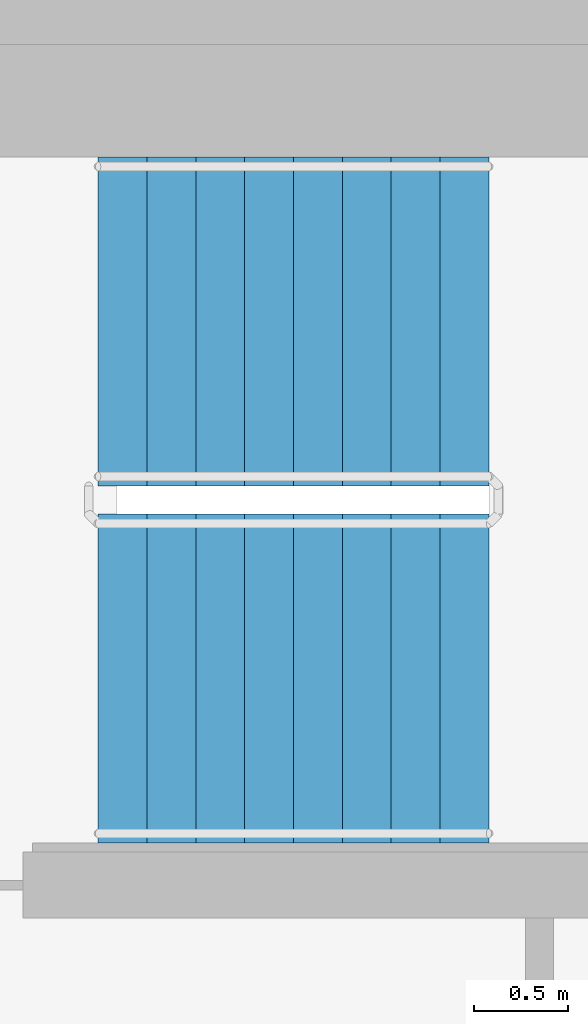
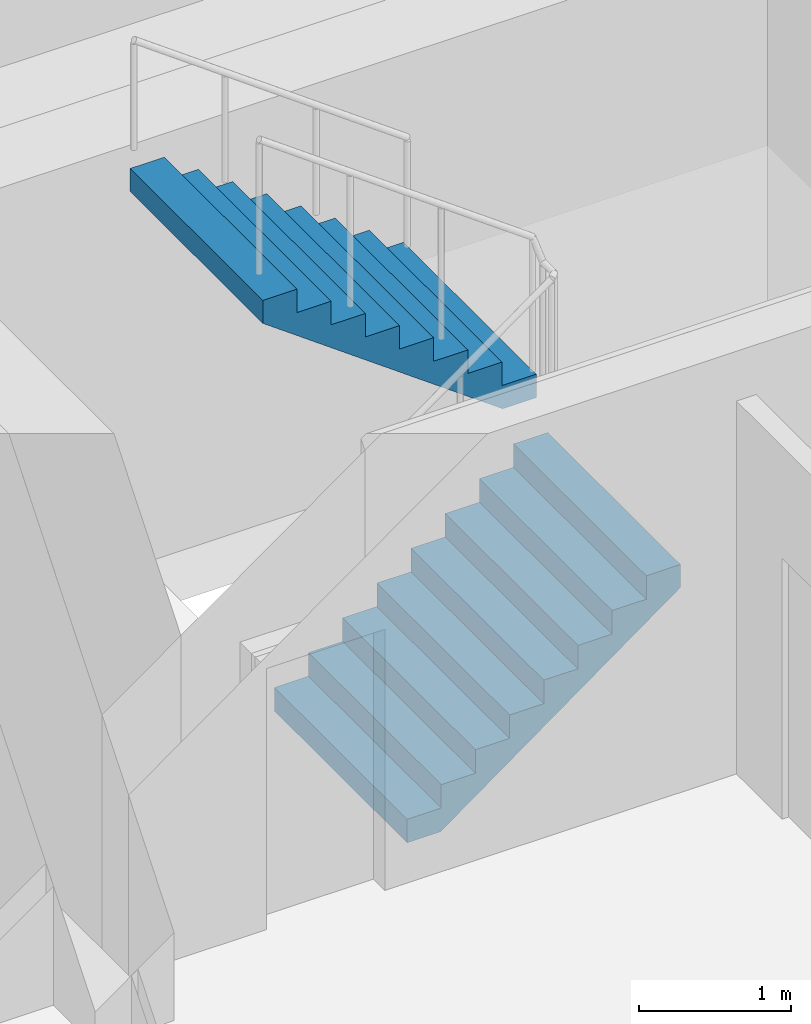
# One storey, part 13 of 18: 2 stair flights, 1 element without a shape of its own.
"""IFC4 building model written with IfcOpenShell, lengths in metres."""

from ifc_helpers import new_model, si_unit, direction, frame, origin, place, context, subcontext, project, spatial, faceted_brep, material, type_object, element, aggregate, save


model = new_model("IFC4")

# Units and contexts
model_context = context("Model", 3, precision=1e-05, world=origin(), true_north=direction((0.0, 1.0)))
body_context = subcontext(model_context, "Body", "Model", "MODEL_VIEW")
ifc_project = project(units=[si_unit("LENGTHUNIT", "METRE"), si_unit("AREAUNIT", "SQUARE_METRE"), si_unit("VOLUMEUNIT", "CUBIC_METRE"), si_unit("PLANEANGLEUNIT", "RADIAN"), si_unit("MASSUNIT", "GRAM", prefix="KILO")], contexts=[model_context])

# Site, building, storey
site_placement = place(None, origin())
site = spatial("IfcSite", under=ifc_project, at=site_placement, CompositionType="ELEMENT")
building_placement = place(site_placement, origin())
building = spatial("IfcBuilding", under=site, at=building_placement, Name="Ipe Terrace Towers", CompositionType="ELEMENT")
storey_placement = place(building_placement, frame((0.0, 0.0, 226.60009765625)))
storey = spatial("IfcBuildingStorey", under=building, at=storey_placement, Name="L63", CompositionType="ELEMENT", Elevation=226.60009765625)

# Stair, stair flights
ifc_material_1 = material(Name="Concrete C30/37", Category="concrete")
stair_type = type_object("IfcStairType", Name="Protected exit stair", PredefinedType="HALF_TURN_STAIR", material=ifc_material_1)
stair_placement = place(storey_placement, origin())
stair = element("IfcStair", 1, at=stair_placement, inside=storey, type_object=stair_type, Name="L63 Exit stair T1-C1", PredefinedType="HALF_TURN_STAIR")
ifc_material_2 = material(Name="Concrete C30/37", Category="concrete")
stair_flight_type = type_object("IfcStairFlightType", Name="Exit stair flight 1750", PredefinedType="STRAIGHT", material=ifc_material_2)
stair_flight_1_placement = place(storey_placement, frame((-26.300048828125, 2.77490234375, 0.0), z_axis=(0.0, 0.0, 1.0), x_axis=(1.0, 0.0, 0.0)))
stair_flight_1 = element("IfcStairFlight", 2, at=stair_flight_1_placement, type_object=stair_flight_type, Name="T1-ST1 flight 1", NumberOfRisers=9, NumberOfTreads=8, PredefinedType="STRAIGHT", RiserHeight=0.188888889, TreadLength=0.26, context=body_context, shape_type="Brep", body=[
    faceted_brep([(0.255126953125, -0.875, 0.0), (2.080078125, -0.875, 1.325927734375), (2.080078125, -0.875, 1.51123046875), (1.820068359375, -0.875, 1.51123046875), (1.820068359375, -0.875, 1.322265625), (1.56005859375, -0.875, 1.322265625), (1.56005859375, -0.875, 1.13330078125), (1.300048828125, -0.875, 1.13330078125), (1.300048828125, -0.875, 0.9443359375), (1.0400390625, -0.875, 0.9443359375), (1.0400390625, -0.875, 0.755615234375), (0.780029296875, -0.875, 0.755615234375), (0.780029296875, -0.875, 0.566650390625), (0.52001953125, -0.875, 0.566650390625), (0.52001953125, -0.875, 0.377685546875), (0.260009765625, -0.875, 0.377685546875), (0.260009765625, -0.875, 0.18896484375), (0.0, -0.875, 0.18896484375), (0.0, -0.875, 0.0), (0.0, 0.875, 0.0), (0.0, 0.875, 0.18896484375), (0.260009765625, 0.875, 0.18896484375), (0.260009765625, 0.875, 0.377685546875), (0.52001953125, 0.875, 0.377685546875), (0.52001953125, 0.875, 0.566650390625), (0.780029296875, 0.875, 0.566650390625), (0.780029296875, 0.875, 0.755615234375), (1.0400390625, 0.875, 0.755615234375), (1.0400390625, 0.875, 0.9443359375), (1.300048828125, 0.875, 0.9443359375), (1.300048828125, 0.875, 1.13330078125), (1.56005859375, 0.875, 1.13330078125), (1.56005859375, 0.875, 1.322265625), (1.820068359375, 0.875, 1.322265625), (1.820068359375, 0.875, 1.51123046875), (2.080078125, 0.875, 1.51123046875), (2.080078125, 0.875, 1.325927734375), (0.255126953125, 0.875, 0.0), (0.0, -0.300048828125, 0.18896484375), (0.0, -0.1201171875, 0.18896484375), (0.0, -0.06005859375, 0.18896484375), (0.0, -0.030029296875, 0.18896484375), (0.0, -0.010009765625, 0.18896484375), (0.0, 0.0, 0.18896484375), (0.0, 0.010009765625, 0.18896484375), (0.0, 0.030029296875, 0.18896484375), (0.0, 0.06005859375, 0.18896484375), (0.0, 0.1201171875, 0.18896484375), (0.0, 0.300048828125, 0.18896484375), (0.0, 0.300048828125, 0.0), (0.0, 0.1201171875, 0.0), (0.0, 0.06005859375, 0.0), (0.0, 0.030029296875, 0.0), (0.0, 0.010009765625, 0.0), (0.0, 0.0, 0.0), (0.0, -0.010009765625, 0.0), (0.0, -0.030029296875, 0.0), (0.0, -0.06005859375, 0.0), (0.0, -0.1201171875, 0.0), (0.0, -0.300048828125, 0.0), (0.260009765625, -0.300048828125, 0.18896484375), (0.260009765625, -0.1201171875, 0.18896484375), (0.260009765625, -0.06005859375, 0.18896484375), (0.260009765625, -0.030029296875, 0.18896484375), (0.260009765625, -0.010009765625, 0.18896484375), (0.260009765625, 0.0, 0.18896484375), (0.260009765625, 0.010009765625, 0.18896484375), (0.260009765625, 0.030029296875, 0.18896484375), (0.260009765625, 0.06005859375, 0.18896484375), (0.260009765625, 0.1201171875, 0.18896484375), (0.260009765625, 0.300048828125, 0.18896484375), (0.260009765625, -0.300048828125, 0.377685546875), (0.260009765625, -0.1201171875, 0.377685546875), (0.260009765625, -0.06005859375, 0.377685546875), (0.260009765625, -0.030029296875, 0.377685546875), (0.260009765625, -0.010009765625, 0.377685546875), (0.260009765625, 0.0, 0.377685546875), (0.260009765625, 0.010009765625, 0.377685546875), (0.260009765625, 0.030029296875, 0.377685546875), (0.260009765625, 0.06005859375, 0.377685546875), (0.260009765625, 0.1201171875, 0.377685546875), (0.260009765625, 0.300048828125, 0.377685546875), (0.52001953125, -0.300048828125, 0.377685546875), (0.52001953125, -0.1201171875, 0.377685546875), (0.52001953125, -0.06005859375, 0.377685546875), (0.52001953125, -0.030029296875, 0.377685546875), (0.52001953125, -0.010009765625, 0.377685546875), (0.52001953125, 0.0, 0.377685546875), (0.52001953125, 0.010009765625, 0.377685546875), (0.52001953125, 0.030029296875, 0.377685546875), (0.52001953125, 0.06005859375, 0.377685546875), (0.52001953125, 0.1201171875, 0.377685546875), (0.52001953125, 0.300048828125, 0.377685546875), (0.52001953125, -0.300048828125, 0.566650390625), (0.52001953125, -0.1201171875, 0.566650390625), (0.52001953125, -0.06005859375, 0.566650390625), (0.52001953125, -0.030029296875, 0.566650390625), (0.52001953125, -0.010009765625, 0.566650390625), (0.52001953125, 0.0, 0.566650390625), (0.52001953125, 0.010009765625, 0.566650390625), (0.52001953125, 0.030029296875, 0.566650390625), (0.52001953125, 0.06005859375, 0.566650390625), (0.52001953125, 0.1201171875, 0.566650390625), (0.52001953125, 0.300048828125, 0.566650390625), (0.780029296875, -0.300048828125, 0.566650390625), (0.780029296875, -0.1201171875, 0.566650390625), (0.780029296875, -0.06005859375, 0.566650390625), (0.780029296875, -0.030029296875, 0.566650390625), (0.780029296875, -0.010009765625, 0.566650390625), (0.780029296875, 0.0, 0.566650390625), (0.780029296875, 0.010009765625, 0.566650390625), (0.780029296875, 0.030029296875, 0.566650390625), (0.780029296875, 0.06005859375, 0.566650390625), (0.780029296875, 0.1201171875, 0.566650390625), (0.780029296875, 0.300048828125, 0.566650390625), (0.780029296875, -0.300048828125, 0.755615234375), (0.780029296875, -0.1201171875, 0.755615234375), (0.780029296875, -0.06005859375, 0.755615234375), (0.780029296875, -0.030029296875, 0.755615234375), (0.780029296875, -0.010009765625, 0.755615234375), (0.780029296875, 0.0, 0.755615234375), (0.780029296875, 0.010009765625, 0.755615234375), (0.780029296875, 0.030029296875, 0.755615234375), (0.780029296875, 0.06005859375, 0.755615234375), (0.780029296875, 0.1201171875, 0.755615234375), (0.780029296875, 0.300048828125, 0.755615234375), (1.0400390625, -0.300048828125, 0.755615234375), (1.0400390625, -0.1201171875, 0.755615234375), (1.0400390625, -0.06005859375, 0.755615234375), (1.0400390625, -0.030029296875, 0.755615234375), (1.0400390625, -0.010009765625, 0.755615234375), (1.0400390625, 0.0, 0.755615234375), (1.0400390625, 0.010009765625, 0.755615234375), (1.0400390625, 0.030029296875, 0.755615234375), (1.0400390625, 0.06005859375, 0.755615234375), (1.0400390625, 0.1201171875, 0.755615234375), (1.0400390625, 0.300048828125, 0.755615234375), (1.0400390625, -0.300048828125, 0.9443359375), (1.0400390625, -0.1201171875, 0.9443359375), (1.0400390625, -0.06005859375, 0.9443359375), (1.0400390625, -0.030029296875, 0.9443359375), (1.0400390625, -0.010009765625, 0.9443359375), (1.0400390625, 0.0, 0.9443359375), (1.0400390625, 0.010009765625, 0.9443359375), (1.0400390625, 0.030029296875, 0.9443359375), (1.0400390625, 0.06005859375, 0.9443359375), (1.0400390625, 0.1201171875, 0.9443359375), (1.0400390625, 0.300048828125, 0.9443359375), (1.300048828125, -0.300048828125, 0.9443359375), (1.300048828125, -0.1201171875, 0.9443359375), (1.300048828125, -0.06005859375, 0.9443359375), (1.300048828125, -0.030029296875, 0.9443359375), (1.300048828125, -0.010009765625, 0.9443359375), (1.300048828125, 0.0, 0.9443359375), (1.300048828125, 0.010009765625, 0.9443359375), (1.300048828125, 0.030029296875, 0.9443359375), (1.300048828125, 0.06005859375, 0.9443359375), (1.300048828125, 0.1201171875, 0.9443359375), (1.300048828125, 0.300048828125, 0.9443359375), (1.300048828125, -0.300048828125, 1.13330078125), (1.300048828125, -0.1201171875, 1.13330078125), (1.300048828125, -0.06005859375, 1.13330078125), (1.300048828125, -0.030029296875, 1.13330078125), (1.300048828125, -0.010009765625, 1.13330078125), (1.300048828125, 0.0, 1.13330078125), (1.300048828125, 0.010009765625, 1.13330078125), (1.300048828125, 0.030029296875, 1.13330078125), (1.300048828125, 0.06005859375, 1.13330078125), (1.300048828125, 0.1201171875, 1.13330078125), (1.300048828125, 0.300048828125, 1.13330078125), (1.56005859375, -0.300048828125, 1.13330078125), (1.56005859375, -0.1201171875, 1.13330078125), (1.56005859375, -0.06005859375, 1.13330078125), (1.56005859375, -0.030029296875, 1.13330078125), (1.56005859375, -0.010009765625, 1.13330078125), (1.56005859375, 0.0, 1.13330078125), (1.56005859375, 0.010009765625, 1.13330078125), (1.56005859375, 0.030029296875, 1.13330078125), (1.56005859375, 0.06005859375, 1.13330078125), (1.56005859375, 0.1201171875, 1.13330078125), (1.56005859375, 0.300048828125, 1.13330078125), (1.56005859375, -0.300048828125, 1.322265625), (1.56005859375, -0.1201171875, 1.322265625), (1.56005859375, -0.06005859375, 1.322265625), (1.56005859375, -0.030029296875, 1.322265625), (1.56005859375, -0.010009765625, 1.322265625), (1.56005859375, 0.0, 1.322265625), (1.56005859375, 0.010009765625, 1.322265625), (1.56005859375, 0.030029296875, 1.322265625), (1.56005859375, 0.06005859375, 1.322265625), (1.56005859375, 0.1201171875, 1.322265625), (1.56005859375, 0.300048828125, 1.322265625), (1.820068359375, -0.300048828125, 1.322265625), (1.820068359375, -0.1201171875, 1.322265625), (1.820068359375, -0.06005859375, 1.322265625), (1.820068359375, -0.030029296875, 1.322265625), (1.820068359375, -0.010009765625, 1.322265625), (1.820068359375, 0.0, 1.322265625), (1.820068359375, 0.010009765625, 1.322265625), (1.820068359375, 0.030029296875, 1.322265625), (1.820068359375, 0.06005859375, 1.322265625), (1.820068359375, 0.1201171875, 1.322265625), (1.820068359375, 0.300048828125, 1.322265625), (1.820068359375, -0.300048828125, 1.51123046875), (1.820068359375, -0.1201171875, 1.51123046875), (1.820068359375, -0.06005859375, 1.51123046875), (1.820068359375, -0.030029296875, 1.51123046875), (1.820068359375, -0.010009765625, 1.51123046875), (1.820068359375, 0.0, 1.51123046875), (1.820068359375, 0.010009765625, 1.51123046875), (1.820068359375, 0.030029296875, 1.51123046875), (1.820068359375, 0.06005859375, 1.51123046875), (1.820068359375, 0.1201171875, 1.51123046875), (1.820068359375, 0.300048828125, 1.51123046875), (2.080078125, -0.300048828125, 1.51123046875), (2.080078125, -0.1201171875, 1.51123046875), (2.080078125, -0.06005859375, 1.51123046875), (2.080078125, -0.030029296875, 1.51123046875), (2.080078125, -0.010009765625, 1.51123046875), (2.080078125, 0.0, 1.51123046875), (2.080078125, 0.010009765625, 1.51123046875), (2.080078125, 0.030029296875, 1.51123046875), (2.080078125, 0.06005859375, 1.51123046875), (2.080078125, 0.1201171875, 1.51123046875), (2.080078125, 0.300048828125, 1.51123046875), (2.080078125, -0.300048828125, 1.325927734375), (2.080078125, -0.1201171875, 1.325927734375), (2.080078125, -0.06005859375, 1.325927734375), (2.080078125, -0.030029296875, 1.325927734375), (2.080078125, -0.010009765625, 1.325927734375), (2.080078125, 0.0, 1.325927734375), (2.080078125, 0.010009765625, 1.325927734375), (2.080078125, 0.030029296875, 1.325927734375), (2.080078125, 0.06005859375, 1.325927734375), (2.080078125, 0.1201171875, 1.325927734375), (2.080078125, 0.300048828125, 1.325927734375), (0.255126953125, -0.300048828125, 0.0), (0.255126953125, -0.1201171875, 0.0), (0.255126953125, -0.06005859375, 0.0), (0.255126953125, -0.030029296875, 0.0), (0.255126953125, -0.010009765625, 0.0), (0.255126953125, 0.0, 0.0), (0.255126953125, 0.010009765625, 0.0), (0.255126953125, 0.030029296875, 0.0), (0.255126953125, 0.06005859375, 0.0), (0.255126953125, 0.1201171875, 0.0), (0.255126953125, 0.300048828125, 0.0)], [[[0, 1, 2, 3, 4, 5, 6, 7, 8, 9, 10, 11, 12, 13, 14, 15, 16, 17, 18]], [[19, 20, 21, 22, 23, 24, 25, 26, 27, 28, 29, 30, 31, 32, 33, 34, 35, 36, 37]], [[17, 38, 39, 40, 41, 42, 43, 44, 45, 46, 47, 48, 20, 19, 49, 50, 51, 52, 53, 54, 55, 56, 57, 58, 59, 18]], [[16, 60, 61, 62, 63, 64, 65, 66, 67, 68, 69, 70, 21, 20, 48, 47, 46, 45, 44, 43, 42, 41, 40, 39, 38, 17]], [[15, 71, 72, 73, 74, 75, 76, 77, 78, 79, 80, 81, 22, 21, 70, 69, 68, 67, 66, 65, 64, 63, 62, 61, 60, 16]], [[14, 82, 83, 84, 85, 86, 87, 88, 89, 90, 91, 92, 23, 22, 81, 80, 79, 78, 77, 76, 75, 74, 73, 72, 71, 15]], [[13, 93, 94, 95, 96, 97, 98, 99, 100, 101, 102, 103, 24, 23, 92, 91, 90, 89, 88, 87, 86, 85, 84, 83, 82, 14]], [[12, 104, 105, 106, 107, 108, 109, 110, 111, 112, 113, 114, 25, 24, 103, 102, 101, 100, 99, 98, 97, 96, 95, 94, 93, 13]], [[11, 115, 116, 117, 118, 119, 120, 121, 122, 123, 124, 125, 26, 25, 114, 113, 112, 111, 110, 109, 108, 107, 106, 105, 104, 12]], [[10, 126, 127, 128, 129, 130, 131, 132, 133, 134, 135, 136, 27, 26, 125, 124, 123, 122, 121, 120, 119, 118, 117, 116, 115, 11]], [[9, 137, 138, 139, 140, 141, 142, 143, 144, 145, 146, 147, 28, 27, 136, 135, 134, 133, 132, 131, 130, 129, 128, 127, 126, 10]], [[8, 148, 149, 150, 151, 152, 153, 154, 155, 156, 157, 158, 29, 28, 147, 146, 145, 144, 143, 142, 141, 140, 139, 138, 137, 9]], [[7, 159, 160, 161, 162, 163, 164, 165, 166, 167, 168, 169, 30, 29, 158, 157, 156, 155, 154, 153, 152, 151, 150, 149, 148, 8]], [[6, 170, 171, 172, 173, 174, 175, 176, 177, 178, 179, 180, 31, 30, 169, 168, 167, 166, 165, 164, 163, 162, 161, 160, 159, 7]], [[5, 181, 182, 183, 184, 185, 186, 187, 188, 189, 190, 191, 32, 31, 180, 179, 178, 177, 176, 175, 174, 173, 172, 171, 170, 6]], [[4, 192, 193, 194, 195, 196, 197, 198, 199, 200, 201, 202, 33, 32, 191, 190, 189, 188, 187, 186, 185, 184, 183, 182, 181, 5]], [[3, 203, 204, 205, 206, 207, 208, 209, 210, 211, 212, 213, 34, 33, 202, 201, 200, 199, 198, 197, 196, 195, 194, 193, 192, 4]], [[2, 214, 215, 216, 217, 218, 219, 220, 221, 222, 223, 224, 35, 34, 213, 212, 211, 210, 209, 208, 207, 206, 205, 204, 203, 3]], [[1, 225, 226, 227, 228, 229, 230, 231, 232, 233, 234, 235, 36, 35, 224, 223, 222, 221, 220, 219, 218, 217, 216, 215, 214, 2]], [[0, 236, 237, 238, 239, 240, 241, 242, 243, 244, 245, 246, 37, 36, 235, 234, 233, 232, 231, 230, 229, 228, 227, 226, 225, 1]], [[18, 59, 58, 57, 56, 55, 54, 53, 52, 51, 50, 49, 19, 37, 246, 245, 244, 243, 242, 241, 240, 239, 238, 237, 236, 0]]]),
])
stair_flight_2_placement = place(storey_placement, frame((-24.219970703125, 4.675048828125, 1.699951171875), z_axis=(0.0, 0.0, 1.0), x_axis=(-1.0, 0.0, 0.0)))
stair_flight_2 = element("IfcStairFlight", 3, at=stair_flight_2_placement, type_object=stair_flight_type, Name="T1-ST1 flight 2", NumberOfRisers=9, NumberOfTreads=8, PredefinedType="STRAIGHT", RiserHeight=0.188888889, TreadLength=0.26, context=body_context, shape_type="Brep", body=[
    faceted_brep([(0.255126953125, -0.875, 0.0), (2.080078125, -0.875, 1.325927734375), (2.080078125, -0.875, 1.51123046875), (1.820068359375, -0.875, 1.51123046875), (1.820068359375, -0.875, 1.322265625), (1.56005859375, -0.875, 1.322265625), (1.56005859375, -0.875, 1.13330078125), (1.300048828125, -0.875, 1.13330078125), (1.300048828125, -0.875, 0.9443359375), (1.0400390625, -0.875, 0.9443359375), (1.0400390625, -0.875, 0.755615234375), (0.780029296875, -0.875, 0.755615234375), (0.780029296875, -0.875, 0.566650390625), (0.52001953125, -0.875, 0.566650390625), (0.52001953125, -0.875, 0.377685546875), (0.260009765625, -0.875, 0.377685546875), (0.260009765625, -0.875, 0.18896484375), (0.0, -0.875, 0.18896484375), (0.0, -0.875, 0.0), (0.0, 0.875, 0.0), (0.0, 0.875, 0.18896484375), (0.260009765625, 0.875, 0.18896484375), (0.260009765625, 0.875, 0.377685546875), (0.52001953125, 0.875, 0.377685546875), (0.52001953125, 0.875, 0.566650390625), (0.780029296875, 0.875, 0.566650390625), (0.780029296875, 0.875, 0.755615234375), (1.0400390625, 0.875, 0.755615234375), (1.0400390625, 0.875, 0.9443359375), (1.300048828125, 0.875, 0.9443359375), (1.300048828125, 0.875, 1.13330078125), (1.56005859375, 0.875, 1.13330078125), (1.56005859375, 0.875, 1.322265625), (1.820068359375, 0.875, 1.322265625), (1.820068359375, 0.875, 1.51123046875), (2.080078125, 0.875, 1.51123046875), (2.080078125, 0.875, 1.325927734375), (0.255126953125, 0.875, 0.0), (0.0, -0.300048828125, 0.18896484375), (0.0, -0.1201171875, 0.18896484375), (0.0, -0.06005859375, 0.18896484375), (0.0, -0.030029296875, 0.18896484375), (0.0, -0.010009765625, 0.18896484375), (0.0, 0.0, 0.18896484375), (0.0, 0.010009765625, 0.18896484375), (0.0, 0.030029296875, 0.18896484375), (0.0, 0.06005859375, 0.18896484375), (0.0, 0.1201171875, 0.18896484375), (0.0, 0.300048828125, 0.18896484375), (0.0, 0.300048828125, 0.0), (0.0, 0.1201171875, 0.0), (0.0, 0.06005859375, 0.0), (0.0, 0.030029296875, 0.0), (0.0, 0.010009765625, 0.0), (0.0, 0.0, 0.0), (0.0, -0.010009765625, 0.0), (0.0, -0.030029296875, 0.0), (0.0, -0.06005859375, 0.0), (0.0, -0.1201171875, 0.0), (0.0, -0.300048828125, 0.0), (0.260009765625, -0.300048828125, 0.18896484375), (0.260009765625, -0.1201171875, 0.18896484375), (0.260009765625, -0.06005859375, 0.18896484375), (0.260009765625, -0.030029296875, 0.18896484375), (0.260009765625, -0.010009765625, 0.18896484375), (0.260009765625, 0.0, 0.18896484375), (0.260009765625, 0.010009765625, 0.18896484375), (0.260009765625, 0.030029296875, 0.18896484375), (0.260009765625, 0.06005859375, 0.18896484375), (0.260009765625, 0.1201171875, 0.18896484375), (0.260009765625, 0.300048828125, 0.18896484375), (0.260009765625, -0.300048828125, 0.377685546875), (0.260009765625, -0.1201171875, 0.377685546875), (0.260009765625, -0.06005859375, 0.377685546875), (0.260009765625, -0.030029296875, 0.377685546875), (0.260009765625, -0.010009765625, 0.377685546875), (0.260009765625, 0.0, 0.377685546875), (0.260009765625, 0.010009765625, 0.377685546875), (0.260009765625, 0.030029296875, 0.377685546875), (0.260009765625, 0.06005859375, 0.377685546875), (0.260009765625, 0.1201171875, 0.377685546875), (0.260009765625, 0.300048828125, 0.377685546875), (0.52001953125, -0.300048828125, 0.377685546875), (0.52001953125, -0.1201171875, 0.377685546875), (0.52001953125, -0.06005859375, 0.377685546875), (0.52001953125, -0.030029296875, 0.377685546875), (0.52001953125, -0.010009765625, 0.377685546875), (0.52001953125, 0.0, 0.377685546875), (0.52001953125, 0.010009765625, 0.377685546875), (0.52001953125, 0.030029296875, 0.377685546875), (0.52001953125, 0.06005859375, 0.377685546875), (0.52001953125, 0.1201171875, 0.377685546875), (0.52001953125, 0.300048828125, 0.377685546875), (0.52001953125, -0.300048828125, 0.566650390625), (0.52001953125, -0.1201171875, 0.566650390625), (0.52001953125, -0.06005859375, 0.566650390625), (0.52001953125, -0.030029296875, 0.566650390625), (0.52001953125, -0.010009765625, 0.566650390625), (0.52001953125, 0.0, 0.566650390625), (0.52001953125, 0.010009765625, 0.566650390625), (0.52001953125, 0.030029296875, 0.566650390625), (0.52001953125, 0.06005859375, 0.566650390625), (0.52001953125, 0.1201171875, 0.566650390625), (0.52001953125, 0.300048828125, 0.566650390625), (0.780029296875, -0.300048828125, 0.566650390625), (0.780029296875, -0.1201171875, 0.566650390625), (0.780029296875, -0.06005859375, 0.566650390625), (0.780029296875, -0.030029296875, 0.566650390625), (0.780029296875, -0.010009765625, 0.566650390625), (0.780029296875, 0.0, 0.566650390625), (0.780029296875, 0.010009765625, 0.566650390625), (0.780029296875, 0.030029296875, 0.566650390625), (0.780029296875, 0.06005859375, 0.566650390625), (0.780029296875, 0.1201171875, 0.566650390625), (0.780029296875, 0.300048828125, 0.566650390625), (0.780029296875, -0.300048828125, 0.755615234375), (0.780029296875, -0.1201171875, 0.755615234375), (0.780029296875, -0.06005859375, 0.755615234375), (0.780029296875, -0.030029296875, 0.755615234375), (0.780029296875, -0.010009765625, 0.755615234375), (0.780029296875, 0.0, 0.755615234375), (0.780029296875, 0.010009765625, 0.755615234375), (0.780029296875, 0.030029296875, 0.755615234375), (0.780029296875, 0.06005859375, 0.755615234375), (0.780029296875, 0.1201171875, 0.755615234375), (0.780029296875, 0.300048828125, 0.755615234375), (1.0400390625, -0.300048828125, 0.755615234375), (1.0400390625, -0.1201171875, 0.755615234375), (1.0400390625, -0.06005859375, 0.755615234375), (1.0400390625, -0.030029296875, 0.755615234375), (1.0400390625, -0.010009765625, 0.755615234375), (1.0400390625, 0.0, 0.755615234375), (1.0400390625, 0.010009765625, 0.755615234375), (1.0400390625, 0.030029296875, 0.755615234375), (1.0400390625, 0.06005859375, 0.755615234375), (1.0400390625, 0.1201171875, 0.755615234375), (1.0400390625, 0.300048828125, 0.755615234375), (1.0400390625, -0.300048828125, 0.9443359375), (1.0400390625, -0.1201171875, 0.9443359375), (1.0400390625, -0.06005859375, 0.9443359375), (1.0400390625, -0.030029296875, 0.9443359375), (1.0400390625, -0.010009765625, 0.9443359375), (1.0400390625, 0.0, 0.9443359375), (1.0400390625, 0.010009765625, 0.9443359375), (1.0400390625, 0.030029296875, 0.9443359375), (1.0400390625, 0.06005859375, 0.9443359375), (1.0400390625, 0.1201171875, 0.9443359375), (1.0400390625, 0.300048828125, 0.9443359375), (1.300048828125, -0.300048828125, 0.9443359375), (1.300048828125, -0.1201171875, 0.9443359375), (1.300048828125, -0.06005859375, 0.9443359375), (1.300048828125, -0.030029296875, 0.9443359375), (1.300048828125, -0.010009765625, 0.9443359375), (1.300048828125, 0.0, 0.9443359375), (1.300048828125, 0.010009765625, 0.9443359375), (1.300048828125, 0.030029296875, 0.9443359375), (1.300048828125, 0.06005859375, 0.9443359375), (1.300048828125, 0.1201171875, 0.9443359375), (1.300048828125, 0.300048828125, 0.9443359375), (1.300048828125, -0.300048828125, 1.13330078125), (1.300048828125, -0.1201171875, 1.13330078125), (1.300048828125, -0.06005859375, 1.13330078125), (1.300048828125, -0.030029296875, 1.13330078125), (1.300048828125, -0.010009765625, 1.13330078125), (1.300048828125, 0.0, 1.13330078125), (1.300048828125, 0.010009765625, 1.13330078125), (1.300048828125, 0.030029296875, 1.13330078125), (1.300048828125, 0.06005859375, 1.13330078125), (1.300048828125, 0.1201171875, 1.13330078125), (1.300048828125, 0.300048828125, 1.13330078125), (1.56005859375, -0.300048828125, 1.13330078125), (1.56005859375, -0.1201171875, 1.13330078125), (1.56005859375, -0.06005859375, 1.13330078125), (1.56005859375, -0.030029296875, 1.13330078125), (1.56005859375, -0.010009765625, 1.13330078125), (1.56005859375, 0.0, 1.13330078125), (1.56005859375, 0.010009765625, 1.13330078125), (1.56005859375, 0.030029296875, 1.13330078125), (1.56005859375, 0.06005859375, 1.13330078125), (1.56005859375, 0.1201171875, 1.13330078125), (1.56005859375, 0.300048828125, 1.13330078125), (1.56005859375, -0.300048828125, 1.322265625), (1.56005859375, -0.1201171875, 1.322265625), (1.56005859375, -0.06005859375, 1.322265625), (1.56005859375, -0.030029296875, 1.322265625), (1.56005859375, -0.010009765625, 1.322265625), (1.56005859375, 0.0, 1.322265625), (1.56005859375, 0.010009765625, 1.322265625), (1.56005859375, 0.030029296875, 1.322265625), (1.56005859375, 0.06005859375, 1.322265625), (1.56005859375, 0.1201171875, 1.322265625), (1.56005859375, 0.300048828125, 1.322265625), (1.820068359375, -0.300048828125, 1.322265625), (1.820068359375, -0.1201171875, 1.322265625), (1.820068359375, -0.06005859375, 1.322265625), (1.820068359375, -0.030029296875, 1.322265625), (1.820068359375, -0.010009765625, 1.322265625), (1.820068359375, 0.0, 1.322265625), (1.820068359375, 0.010009765625, 1.322265625), (1.820068359375, 0.030029296875, 1.322265625), (1.820068359375, 0.06005859375, 1.322265625), (1.820068359375, 0.1201171875, 1.322265625), (1.820068359375, 0.300048828125, 1.322265625), (1.820068359375, -0.300048828125, 1.51123046875), (1.820068359375, -0.1201171875, 1.51123046875), (1.820068359375, -0.06005859375, 1.51123046875), (1.820068359375, -0.030029296875, 1.51123046875), (1.820068359375, -0.010009765625, 1.51123046875), (1.820068359375, 0.0, 1.51123046875), (1.820068359375, 0.010009765625, 1.51123046875), (1.820068359375, 0.030029296875, 1.51123046875), (1.820068359375, 0.06005859375, 1.51123046875), (1.820068359375, 0.1201171875, 1.51123046875), (1.820068359375, 0.300048828125, 1.51123046875), (2.080078125, -0.300048828125, 1.51123046875), (2.080078125, -0.1201171875, 1.51123046875), (2.080078125, -0.06005859375, 1.51123046875), (2.080078125, -0.030029296875, 1.51123046875), (2.080078125, -0.010009765625, 1.51123046875), (2.080078125, 0.0, 1.51123046875), (2.080078125, 0.010009765625, 1.51123046875), (2.080078125, 0.030029296875, 1.51123046875), (2.080078125, 0.06005859375, 1.51123046875), (2.080078125, 0.1201171875, 1.51123046875), (2.080078125, 0.300048828125, 1.51123046875), (2.080078125, -0.300048828125, 1.325927734375), (2.080078125, -0.1201171875, 1.325927734375), (2.080078125, -0.06005859375, 1.325927734375), (2.080078125, -0.030029296875, 1.325927734375), (2.080078125, -0.010009765625, 1.325927734375), (2.080078125, 0.0, 1.325927734375), (2.080078125, 0.010009765625, 1.325927734375), (2.080078125, 0.030029296875, 1.325927734375), (2.080078125, 0.06005859375, 1.325927734375), (2.080078125, 0.1201171875, 1.325927734375), (2.080078125, 0.300048828125, 1.325927734375), (0.255126953125, -0.300048828125, 0.0), (0.255126953125, -0.1201171875, 0.0), (0.255126953125, -0.06005859375, 0.0), (0.255126953125, -0.030029296875, 0.0), (0.255126953125, -0.010009765625, 0.0), (0.255126953125, 0.0, 0.0), (0.255126953125, 0.010009765625, 0.0), (0.255126953125, 0.030029296875, 0.0), (0.255126953125, 0.06005859375, 0.0), (0.255126953125, 0.1201171875, 0.0), (0.255126953125, 0.300048828125, 0.0)], [[[0, 1, 2, 3, 4, 5, 6, 7, 8, 9, 10, 11, 12, 13, 14, 15, 16, 17, 18]], [[19, 20, 21, 22, 23, 24, 25, 26, 27, 28, 29, 30, 31, 32, 33, 34, 35, 36, 37]], [[17, 38, 39, 40, 41, 42, 43, 44, 45, 46, 47, 48, 20, 19, 49, 50, 51, 52, 53, 54, 55, 56, 57, 58, 59, 18]], [[16, 60, 61, 62, 63, 64, 65, 66, 67, 68, 69, 70, 21, 20, 48, 47, 46, 45, 44, 43, 42, 41, 40, 39, 38, 17]], [[15, 71, 72, 73, 74, 75, 76, 77, 78, 79, 80, 81, 22, 21, 70, 69, 68, 67, 66, 65, 64, 63, 62, 61, 60, 16]], [[14, 82, 83, 84, 85, 86, 87, 88, 89, 90, 91, 92, 23, 22, 81, 80, 79, 78, 77, 76, 75, 74, 73, 72, 71, 15]], [[13, 93, 94, 95, 96, 97, 98, 99, 100, 101, 102, 103, 24, 23, 92, 91, 90, 89, 88, 87, 86, 85, 84, 83, 82, 14]], [[12, 104, 105, 106, 107, 108, 109, 110, 111, 112, 113, 114, 25, 24, 103, 102, 101, 100, 99, 98, 97, 96, 95, 94, 93, 13]], [[11, 115, 116, 117, 118, 119, 120, 121, 122, 123, 124, 125, 26, 25, 114, 113, 112, 111, 110, 109, 108, 107, 106, 105, 104, 12]], [[10, 126, 127, 128, 129, 130, 131, 132, 133, 134, 135, 136, 27, 26, 125, 124, 123, 122, 121, 120, 119, 118, 117, 116, 115, 11]], [[9, 137, 138, 139, 140, 141, 142, 143, 144, 145, 146, 147, 28, 27, 136, 135, 134, 133, 132, 131, 130, 129, 128, 127, 126, 10]], [[8, 148, 149, 150, 151, 152, 153, 154, 155, 156, 157, 158, 29, 28, 147, 146, 145, 144, 143, 142, 141, 140, 139, 138, 137, 9]], [[7, 159, 160, 161, 162, 163, 164, 165, 166, 167, 168, 169, 30, 29, 158, 157, 156, 155, 154, 153, 152, 151, 150, 149, 148, 8]], [[6, 170, 171, 172, 173, 174, 175, 176, 177, 178, 179, 180, 31, 30, 169, 168, 167, 166, 165, 164, 163, 162, 161, 160, 159, 7]], [[5, 181, 182, 183, 184, 185, 186, 187, 188, 189, 190, 191, 32, 31, 180, 179, 178, 177, 176, 175, 174, 173, 172, 171, 170, 6]], [[4, 192, 193, 194, 195, 196, 197, 198, 199, 200, 201, 202, 33, 32, 191, 190, 189, 188, 187, 186, 185, 184, 183, 182, 181, 5]], [[3, 203, 204, 205, 206, 207, 208, 209, 210, 211, 212, 213, 34, 33, 202, 201, 200, 199, 198, 197, 196, 195, 194, 193, 192, 4]], [[2, 214, 215, 216, 217, 218, 219, 220, 221, 222, 223, 224, 35, 34, 213, 212, 211, 210, 209, 208, 207, 206, 205, 204, 203, 3]], [[1, 225, 226, 227, 228, 229, 230, 231, 232, 233, 234, 235, 36, 35, 224, 223, 222, 221, 220, 219, 218, 217, 216, 215, 214, 2]], [[0, 236, 237, 238, 239, 240, 241, 242, 243, 244, 245, 246, 37, 36, 235, 234, 233, 232, 231, 230, 229, 228, 227, 226, 225, 1]], [[18, 59, 58, 57, 56, 55, 54, 53, 52, 51, 50, 49, 19, 37, 246, 245, 244, 243, 242, 241, 240, 239, 238, 237, 236, 0]]]),
])
aggregate(stair, [stair_flight_1, stair_flight_2])

save(model, "model.ifc")
